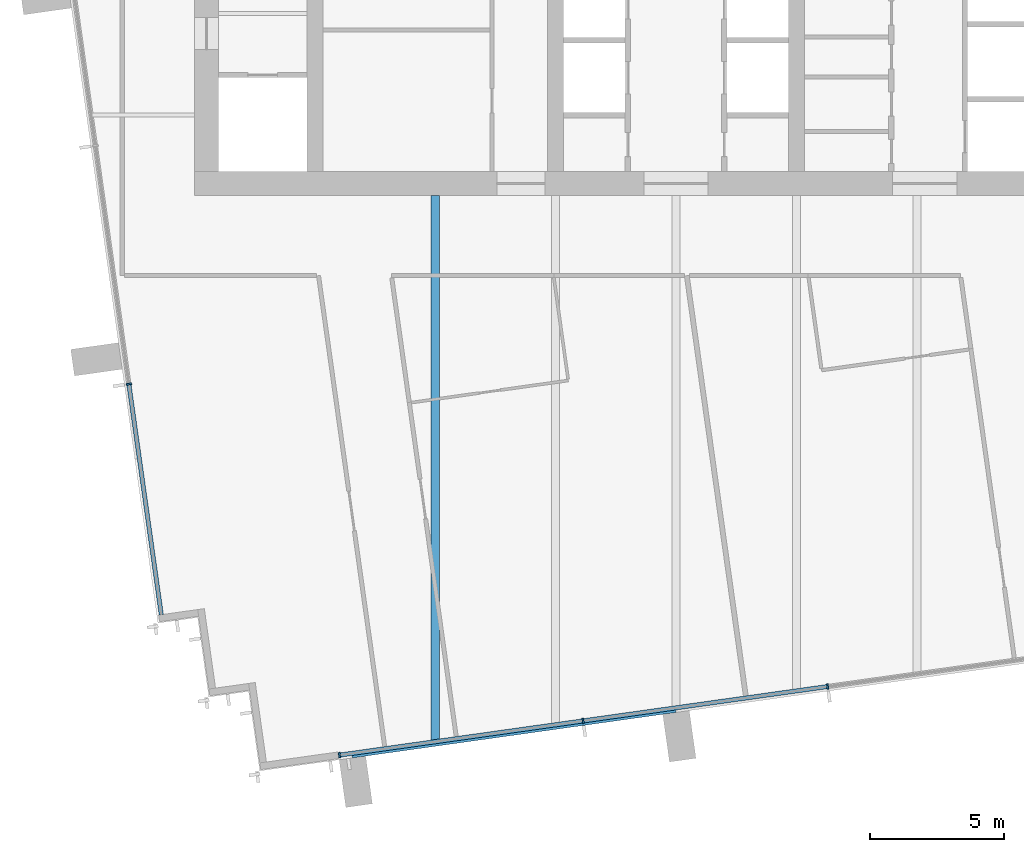
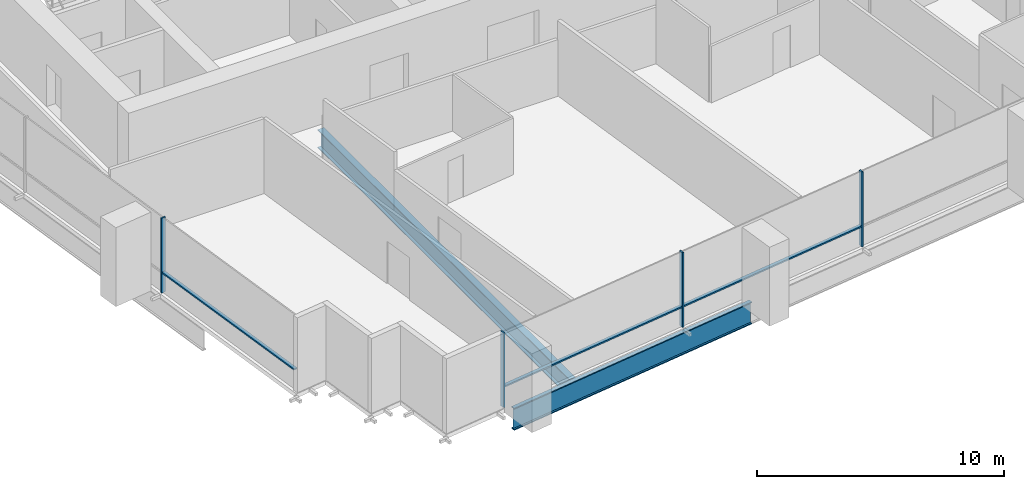
# One storey, part 2 of 13: 7 members, 2 beams, 2 elements without a shape of their own.
"""IFC4 building model written with IfcOpenShell, lengths in metres."""

from ifc_helpers import new_model, si_unit, direction, frame, origin, origin_2d, place, context, subcontext, project, spatial, rectangle, i_section, extrude, material, layer, layer_set, material_profile, profile_set, type_object, element, aggregate, save


model = new_model("IFC4")

# Units and contexts
model_context = context("Model", 3, precision=1e-05, world=origin(), true_north=direction((0.0, 1.0)))
body_context = subcontext(model_context, "Body", "Model", "MODEL_VIEW")
ifc_project = project(units=[si_unit("LENGTHUNIT", "METRE"), si_unit("AREAUNIT", "SQUARE_METRE"), si_unit("VOLUMEUNIT", "CUBIC_METRE"), si_unit("PLANEANGLEUNIT", "RADIAN"), si_unit("MASSUNIT", "GRAM", prefix="KILO")], contexts=[model_context])

# Site, building, storey
site_placement = place(None, origin())
site = spatial("IfcSite", under=ifc_project, at=site_placement, CompositionType="ELEMENT")
building_placement = place(site_placement, origin())
building = spatial("IfcBuilding", under=site, at=building_placement, Name="Rattan Terrace Tower", CompositionType="ELEMENT")
storey_placement = place(building_placement, frame((0.0, 0.0, 240.800048828125)))
storey = spatial("IfcBuildingStorey", under=building, at=storey_placement, Name="L55", CompositionType="ELEMENT", Elevation=240.800048828125)

# Beams
ifc_material_1 = material(Name="Steel S460", Category="steel")
ifc_material_profile_1 = material_profile(ifc_material_1, i_section(OverallWidth=0.179931640625, OverallDepth=1.10009765625, WebThickness=0.01611328125, FlangeThickness=0.050048828125, at=origin_2d()), Name="PG 1100x180-16-50")
ifc_profile_set_1 = profile_set([ifc_material_profile_1], Name="Steel S460")
beam_type_1 = type_object("IfcBeamType", Name="Frame edge girder PG 1100x180-16-50", PredefinedType="SPANDREL", material=ifc_profile_set_1)
beam_1_placement = place(storey_placement, frame((-12.10888671875, -28.43603515625, -0.75), z_axis=(0.990268332234, 0.139171226104, 0.0), x_axis=(-0.139171226104, 0.990268332234, 0.0)))
element("IfcBeam", 1, at=beam_1_placement, inside=storey, type_object=beam_type_1, Name="gdr-L55-001", PredefinedType="SPANDREL", context=body_context, shape_type="SweptSolid", body=[
    extrude(i_section(OverallWidth=0.179931640625, OverallDepth=1.10009765625, WebThickness=0.01611328125, FlangeThickness=0.050048828125, at=origin_2d()), origin(), (0.0, 0.0, 1.0), 12.21484375),
])
ifc_material_2 = material(Name="Steel S460", Category="steel")
ifc_material_profile_2 = material_profile(ifc_material_2, i_section(OverallWidth=0.300048828125, OverallDepth=0.89990234375, WebThickness=0.013916015625, FlangeThickness=0.035888671875, at=origin_2d()), Name="PG 900x300-14-36")
ifc_profile_set_2 = profile_set([ifc_material_profile_2], Name="Steel S460")
beam_type_2 = type_object("IfcBeamType", Name="Frame floor beam PG 900x300-14-36", PredefinedType="JOIST", material=ifc_profile_set_2)
beam_2_placement = place(storey_placement, frame((-9.0, -27.886962890625, -0.650146484375), z_axis=(0.0, 1.0, 0.0), x_axis=(-1.0, 0.0, 0.0)))
element("IfcBeam", 2, at=beam_2_placement, inside=storey, type_object=beam_type_2, Name="bm-L55-003", PredefinedType="JOIST", context=body_context, shape_type="SweptSolid", body=[
    extrude(i_section(OverallWidth=0.300048828125, OverallDepth=0.89990234375, WebThickness=0.013916015625, FlangeThickness=0.035888671875, at=origin_2d()), origin(), (0.0, 0.0, 1.0), 20.386962890625),
])

# Curtain wall, member
ifc_material_3 = material(Name="Aluminium and laminated glass", Category="aluminium")
ifc_layer = layer(ifc_material_3, 0.199951171875)
ifc_layer_set = layer_set([ifc_layer], Name="High-Zone Unitised Curtain Wall")
curtain_wall_type = type_object("IfcCurtainWallType", Name="High-Zone Unitised Curtain Wall", PredefinedType="NOTDEFINED", material=ifc_layer_set)
curtain_wall_1_placement = place(storey_placement, origin())
curtain_wall_1 = element("IfcCurtainWall", 3, at=curtain_wall_1_placement, inside=storey, type_object=curtain_wall_type, Name="High-zone curtain wall L55-3", PredefinedType="NOTDEFINED")
ifc_material_4 = material(Name="Aluminium", Category="aluminium")
ifc_material_profile_3 = material_profile(ifc_material_4, rectangle(XDim=0.070068359375, YDim=0.199951171875, at=origin_2d()), Name="Aluminium 70x200")
ifc_profile_set_3 = profile_set([ifc_material_profile_3], Name="Aluminium")
member_type_1 = type_object("IfcMemberType", Name="High-Zone CW Mullion 70x200", PredefinedType="MULLION", material=ifc_profile_set_3)
member_1_placement = place(storey_placement, frame((-20.452392578125, -14.551025390625, 0.0), z_axis=(0.0, 0.0, 1.0), x_axis=(0.139186165309, -0.990266232579, 0.0)))
member_1 = element("IfcMember", 4, at=member_1_placement, type_object=member_type_1, Name="Mullion cwl-L55-003.3", PredefinedType="MULLION", context=body_context, shape_type="SweptSolid", body=[
    extrude(rectangle(XDim=0.070068359375, YDim=0.199951171875, at=origin_2d()), origin(), (0.0, 0.0, 1.0), 3.699951171875),
])

# Curtain wall, members
curtain_wall_2_placement = place(storey_placement, origin())
curtain_wall_2 = element("IfcCurtainWall", 5, at=curtain_wall_2_placement, inside=storey, type_object=curtain_wall_type, Name="High-zone curtain wall L55-4", PredefinedType="NOTDEFINED")
member_2_placement = place(storey_placement, frame((-12.580078125, -28.4208984375, 0.0), z_axis=(0.0, 0.0, 1.0), x_axis=(0.990267457022, 0.139177453499, 0.0)))
member_2 = element("IfcMember", 6, at=member_2_placement, type_object=member_type_1, Name="Mullion cwl-L55-004.1", PredefinedType="MULLION", context=body_context, shape_type="SweptSolid", body=[
    extrude(rectangle(XDim=0.070068359375, YDim=0.199951171875, at=origin_2d()), origin(), (0.0, 0.0, 1.0), 3.699951171875),
])
member_3_placement = place(storey_placement, frame((-3.473388671875, -27.140869140625, 0.0), z_axis=(0.0, 0.0, 1.0), x_axis=(0.990267457022, 0.139177453499, 0.0)))
member_3 = element("IfcMember", 7, at=member_3_placement, type_object=member_type_1, Name="Mullion cwl-L55-004.2", PredefinedType="MULLION", context=body_context, shape_type="SweptSolid", body=[
    extrude(rectangle(XDim=0.070068359375, YDim=0.199951171875, at=origin_2d()), origin(), (0.0, 0.0, 1.0), 3.699951171875),
])
member_4_placement = place(storey_placement, frame((5.667724609375, -25.856201171875, 0.0), z_axis=(0.0, 0.0, 1.0), x_axis=(0.990267457022, 0.139177453499, 0.0)))
member_4 = element("IfcMember", 8, at=member_4_placement, type_object=member_type_1, Name="Mullion cwl-L55-004.3", PredefinedType="MULLION", context=body_context, shape_type="SweptSolid", body=[
    extrude(rectangle(XDim=0.070068359375, YDim=0.199951171875, at=origin_2d()), origin(), (0.0, 0.0, 1.0), 3.699951171875),
])

# Member
ifc_material_5 = material(Name="Aluminium", Category="aluminium")
ifc_material_profile_4 = material_profile(ifc_material_5, rectangle(XDim=0.159912109375, YDim=0.070068359375, at=origin_2d()), Name="Aluminium 160x70")
ifc_profile_set_4 = profile_set([ifc_material_profile_4], Name="Aluminium")
member_type_2 = type_object("IfcMemberType", Name="High-Zone CW Transom 160x70", PredefinedType="USERDEFINED", material=ifc_profile_set_4)
member_5_placement = place(storey_placement, frame((-20.447509765625, -14.585693359375, 1.0), z_axis=(0.139193563319, -0.990265192729, 0.0), x_axis=(0.990265192729, 0.139193563319, 0.0)))
member_5 = element("IfcMember", 9, at=member_5_placement, type_object=member_type_2, Name="Transom cwl-L55-003.3", ObjectType="TRANSOM", PredefinedType="USERDEFINED", context=body_context, shape_type="SweptSolid", body=[
    extrude(rectangle(XDim=0.159912109375, YDim=0.070068359375, at=origin_2d()), origin(), (0.0, 0.0, 1.0), 8.669921875),
])

aggregate(curtain_wall_1, [member_1, member_5])

member_6_placement = place(storey_placement, frame((-12.54541015625, -28.416015625, 1.0), z_axis=(0.990265856778, 0.139188838988, 0.0), x_axis=(-0.139188838988, 0.990265856778, 0.0)))
member_6 = element("IfcMember", 10, at=member_6_placement, type_object=member_type_2, Name="Transom cwl-L55-004.1", ObjectType="TRANSOM", PredefinedType="USERDEFINED", context=body_context, shape_type="SweptSolid", body=[
    extrude(rectangle(XDim=0.159912109375, YDim=0.070068359375, at=origin_2d()), origin(), (0.0, 0.0, 1.0), 9.126220703125),
])

member_7_placement = place(storey_placement, frame((-3.438720703125, -27.135986328125, 1.0), z_axis=(0.990268863305, 0.13916744723, 0.0), x_axis=(-0.13916744723, 0.990268863305, 0.0)))
member_7 = element("IfcMember", 11, at=member_7_placement, type_object=member_type_2, Name="Transom cwl-L55-004.2", ObjectType="TRANSOM", PredefinedType="USERDEFINED", context=body_context, shape_type="SweptSolid", body=[
    extrude(rectangle(XDim=0.159912109375, YDim=0.070068359375, at=origin_2d()), origin(), (0.0, 0.0, 1.0), 9.160888671875),
])

aggregate(curtain_wall_2, [member_2, member_3, member_4, member_6, member_7])

save(model, "model.ifc")
